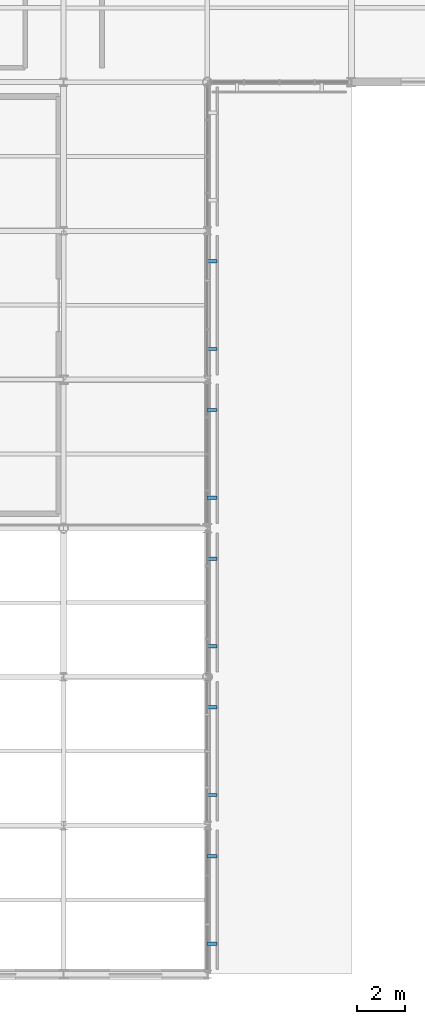
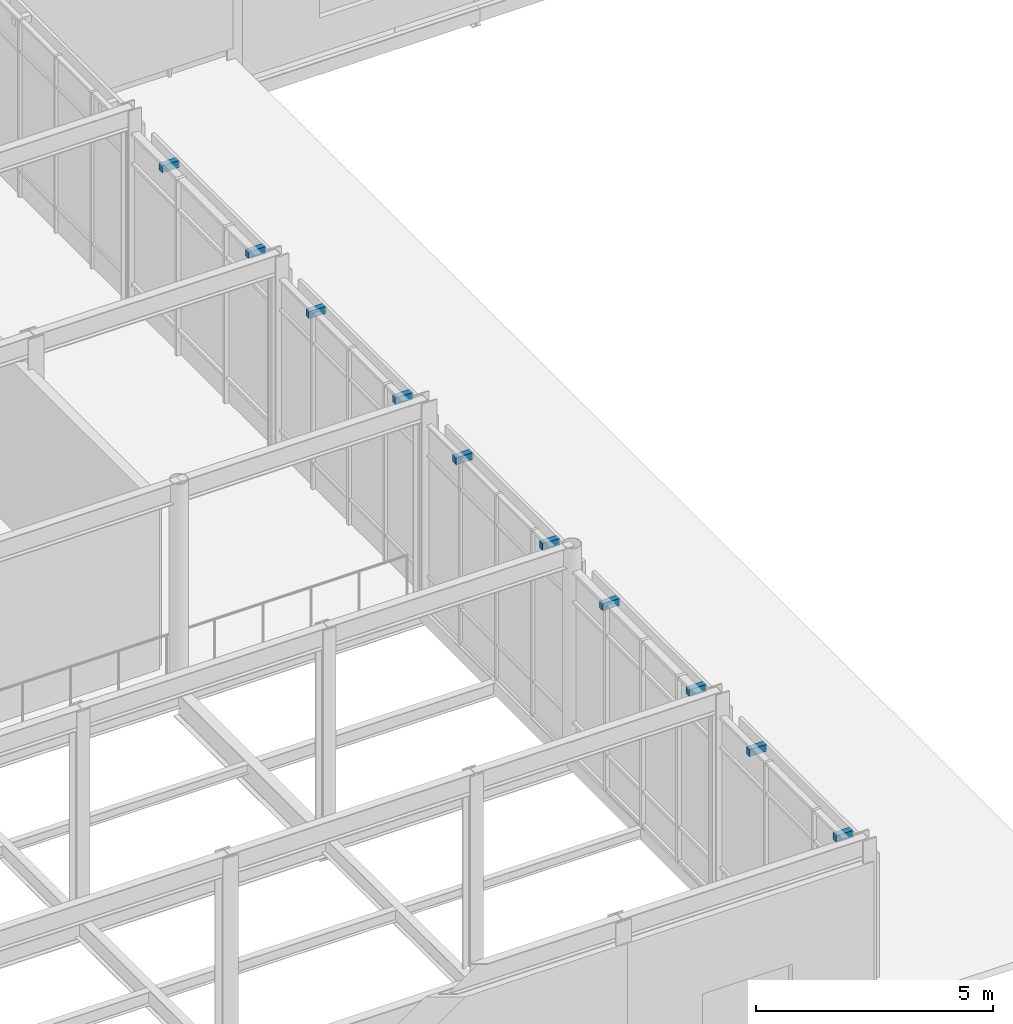
# One storey, part 74 of 105: 10 discrete accessories.
"""IFC4 building model written with IfcOpenShell, lengths in metres."""

from ifc_helpers import new_model, si_unit, direction, frame, origin, origin_2d, place, context, subcontext, project, spatial, rectangle, extrude, material, type_object, element, save


model = new_model("IFC4")

# Units and contexts
model_context = context("Model", 3, precision=1e-05, world=origin(), true_north=direction((0.0, 1.0)))
body_context = subcontext(model_context, "Body", "Model", "MODEL_VIEW")
ifc_project = project(units=[si_unit("LENGTHUNIT", "METRE"), si_unit("AREAUNIT", "SQUARE_METRE"), si_unit("VOLUMEUNIT", "CUBIC_METRE"), si_unit("PLANEANGLEUNIT", "RADIAN"), si_unit("MASSUNIT", "GRAM", prefix="KILO")], contexts=[model_context])

# Site, building, storey
site_placement = place(None, origin())
site = spatial("IfcSite", under=ifc_project, at=site_placement, CompositionType="ELEMENT")
building_placement = place(site_placement, origin())
building = spatial("IfcBuilding", under=site, at=building_placement, Name="Mirzam Square Science Centre", CompositionType="ELEMENT")
storey_placement = place(building_placement, frame((0.0, 0.0, 5.39990234375)))
storey = spatial("IfcBuildingStorey", under=building, at=storey_placement, Name="L01", CompositionType="ELEMENT", Elevation=5.39990234375)

# Discrete accessories
ifc_material = material(Name="Steel S355", Category="steel")
discrete_accessory_type = type_object("IfcDiscreteAccessoryType", Name="BRK-BRISE-STEEL", PredefinedType="BRACKET", material=ifc_material)
for number, where, z_axis, x_axis, name in (
    (1, (30.18994140625, 1.27294921875, 4.2099609375), (0.0, 0.0, 1.0), (0.0, 1.0, 0.0), "L01 brise-soleil support bracket 34"),
    (2, (30.18994140625, 4.927001953125, 4.2099609375), (0.0, 0.0, 1.0), (0.0, 1.0, 0.0), "L01 brise-soleil support bracket 34"),
    (3, (30.18994140625, 7.472900390625, 4.2099609375), (0.0, 0.0, 1.0), (0.0, 1.0, 0.0), "L01 brise-soleil support bracket 35"),
    (4, (30.18994140625, 11.126953125, 4.2099609375), (0.0, 0.0, 1.0), (0.0, 1.0, 0.0), "L01 brise-soleil support bracket 35"),
    (5, (30.18994140625, 13.673095703125, 4.2099609375), (0.0, 0.0, 1.0), (0.0, 1.0, 0.0), "L01 brise-soleil support bracket 36"),
    (6, (30.18994140625, 17.326904296875, 4.2099609375), (0.0, 0.0, 1.0), (0.0, 1.0, 0.0), "L01 brise-soleil support bracket 36"),
    (7, (30.18994140625, 19.873046875, 4.2099609375), (0.0, 0.0, 1.0), (0.0, 1.0, 0.0), "L01 brise-soleil support bracket 37"),
    (8, (30.18994140625, 23.527099609375, 4.2099609375), (0.0, 0.0, 1.0), (0.0, 1.0, 0.0), "L01 brise-soleil support bracket 37"),
    (9, (30.18994140625, 26.072998046875, 4.2099609375), (0.0, 0.0, 1.0), (0.0, 1.0, 0.0), "L01 brise-soleil support bracket 38"),
    (10, (30.18994140625, 29.72705078125, 4.2099609375), (0.0, 0.0, 1.0), (0.0, 1.0, 0.0), "L01 brise-soleil support bracket 38"),
):
    element("IfcDiscreteAccessory", number, at=place(storey_placement, frame(where, z_axis=z_axis, x_axis=x_axis)), inside=storey, type_object=discrete_accessory_type, Name=name, PredefinedType="BRACKET", context=body_context, shape_type="SweptSolid", body=[
        extrude(rectangle(XDim=0.139892578125, YDim=0.419921875, at=origin_2d()), origin(), (0.0, 0.0, 1.0), 0.179931640625),
    ])

save(model, "model.ifc")
